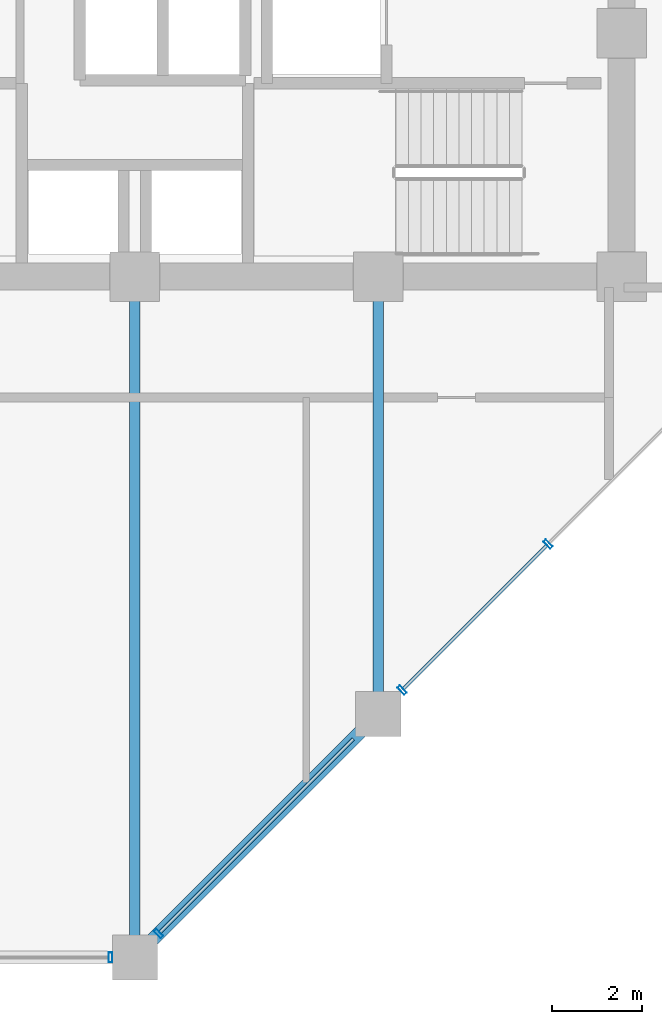
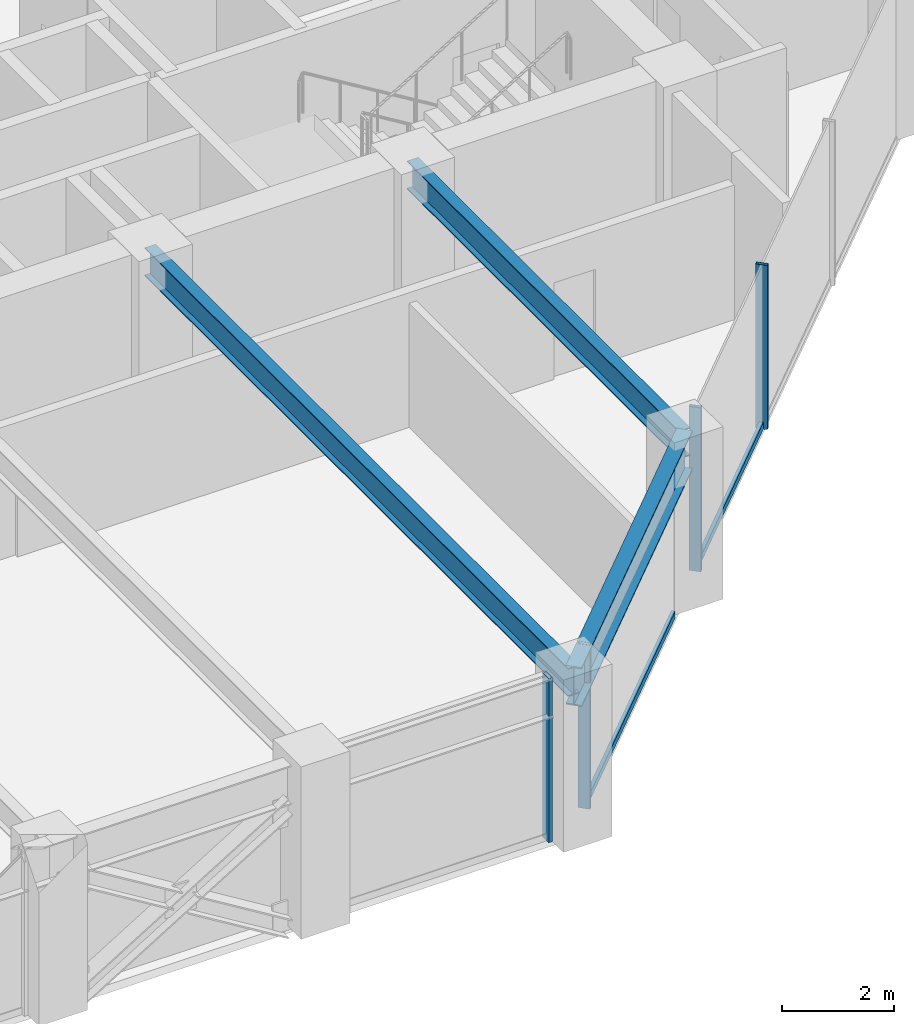
# One storey, part 7 of 26: 6 members, 3 beams, 2 elements without a shape of their own.
"""IFC4 building model written with IfcOpenShell, lengths in metres."""

from ifc_helpers import new_model, si_unit, direction, frame, origin, origin_2d, place, context, subcontext, project, spatial, hollow_rectangle, i_section, extrude, material, layer, layer_set, material_profile, profile_set, type_object, element, aggregate, save


model = new_model("IFC4")

# Units and contexts
model_context = context("Model", 3, precision=1e-05, world=origin(), true_north=direction((0.0, 1.0)))
body_context = subcontext(model_context, "Body", "Model", "MODEL_VIEW")
ifc_project = project(units=[si_unit("LENGTHUNIT", "METRE"), si_unit("AREAUNIT", "SQUARE_METRE"), si_unit("VOLUMEUNIT", "CUBIC_METRE"), si_unit("PLANEANGLEUNIT", "RADIAN"), si_unit("MASSUNIT", "GRAM", prefix="KILO")], contexts=[model_context])

# Site, building, storey
site_placement = place(None, origin())
site = spatial("IfcSite", under=ifc_project, at=site_placement, CompositionType="ELEMENT")
building_placement = place(site_placement, origin())
building = spatial("IfcBuilding", under=site, at=building_placement, Name="Surkhivell Harbour Commons", CompositionType="ELEMENT")
storey_placement = place(building_placement, frame((0.0, 0.0, 147.0)))
storey = spatial("IfcBuildingStorey", under=building, at=storey_placement, Name="L38", CompositionType="ELEMENT", Elevation=147.0)

# Beams
ifc_material_1 = material(Name="Steel S355", Category="steel")
ifc_material_profile_1 = material_profile(ifc_material_1, i_section(OverallWidth=0.22998046875, OverallDepth=0.616943359375, WebThickness=0.01318359375, FlangeThickness=0.022216796875, at=origin_2d()), Name="UB610x229x140")
ifc_profile_set_1 = profile_set([ifc_material_profile_1], Name="Steel S355")
beam_type_1 = type_object("IfcBeamType", Name="BM-GRD-610B", PredefinedType="BEAM", material=ifc_profile_set_1)
beam_1_placement = place(storey_placement, frame((0.0, -25.89990234375, 3.261474609375), z_axis=(0.0, 1.0, 0.0), x_axis=(-1.0, 0.0, 0.0)))
element("IfcBeam", 1, at=beam_1_placement, inside=storey, type_object=beam_type_1, Name="L38 Floor Girder (0.0,-25.9)", PredefinedType="BEAM", context=body_context, shape_type="SweptSolid", body=[
    extrude(i_section(OverallWidth=0.22998046875, OverallDepth=0.616943359375, WebThickness=0.01318359375, FlangeThickness=0.022216796875, at=origin_2d()), origin(), (0.0, 0.0, 1.0), 15.099853515625),
])
beam_2_placement = place(storey_placement, frame((5.39990234375, -20.5, 3.261474609375), z_axis=(0.0, 1.0, 0.0), x_axis=(-1.0, 0.0, 0.0)))
element("IfcBeam", 2, at=beam_2_placement, inside=storey, type_object=beam_type_1, Name="L38 Floor Girder (5.4,-20.5)", PredefinedType="BEAM", context=body_context, shape_type="SweptSolid", body=[
    extrude(i_section(OverallWidth=0.22998046875, OverallDepth=0.616943359375, WebThickness=0.01318359375, FlangeThickness=0.022216796875, at=origin_2d()), origin(), (0.0, 0.0, 1.0), 9.699951171875),
])
ifc_material_2 = material(Name="Steel S460", Category="steel")
ifc_material_profile_2 = material_profile(ifc_material_2, i_section(OverallWidth=0.2939453125, OverallDepth=0.85107421875, WebThickness=0.01611328125, FlangeThickness=0.02685546875, at=origin_2d()), Name="UB838x292x226")
ifc_profile_set_2 = profile_set([ifc_material_profile_2], Name="Steel S460")
beam_type_2 = type_object("IfcBeamType", Name="BM-SPN-838", PredefinedType="SPANDREL", material=ifc_profile_set_2)
beam_3_placement = place(storey_placement, frame((0.0, -25.89990234375, 3.14453125), z_axis=(0.707106781187, 0.707106781187, 0.0), x_axis=(-0.707106781187, 0.707106781187, 0.0)))
element("IfcBeam", 3, at=beam_3_placement, inside=storey, type_object=beam_type_2, Name="L38 Tube Spandrel (-0.0,-25.9)", PredefinedType="SPANDREL", context=body_context, shape_type="SweptSolid", body=[
    extrude(i_section(OverallWidth=0.2939453125, OverallDepth=0.85107421875, WebThickness=0.01611328125, FlangeThickness=0.02685546875, at=origin_2d()), origin(), (0.0, 0.0, 1.0), 7.63671875),
])

# Curtain wall, member
ifc_material_3 = material(Name="Anodised pale-metal aluminium and insulated glazing", Category="aluminium")
ifc_layer = layer(ifc_material_3, 0.205078125)
ifc_layer_set = layer_set([ifc_layer], Name="Anodised pale-metal aluminium and insulated glazing")
curtain_wall_type = type_object("IfcCurtainWallType", Name="CW-SYS-Z2", PredefinedType="NOTDEFINED", material=ifc_layer_set)
curtain_wall_1_placement = place(storey_placement, origin())
curtain_wall_1 = element("IfcCurtainWall", 4, at=curtain_wall_1_placement, inside=storey, type_object=curtain_wall_type, Name="L38 Curtain Wall CW-L38-E00S2", PredefinedType="NOTDEFINED")
ifc_material_4 = material(Name="Anodised pale-metal aluminium alloy 6063-T6", Category="aluminium")
ifc_material_profile_3 = material_profile(ifc_material_4, hollow_rectangle(XDim=0.074951171875, YDim=0.219970703125, WallThickness=0.00390625, at=origin_2d()), Name="ALU-MULL-75x220")
ifc_profile_set_3 = profile_set([ifc_material_profile_3], Name="Anodised pale-metal aluminium alloy 6063-T6")
member_type_1 = type_object("IfcMemberType", Name="CWM-220", PredefinedType="MULLION", material=ifc_profile_set_3)
member_1_placement = place(storey_placement, frame((-0.53955078125, -25.89990234375, 0.0), z_axis=(0.0, 0.0, 1.0), x_axis=(1.0, 0.0, 0.0)))
member_1 = element("IfcMember", 5, at=member_1_placement, type_object=member_type_1, Name="CW-Z2 mullion 2", PredefinedType="MULLION", context=body_context, shape_type="SweptSolid", body=[
    extrude(hollow_rectangle(XDim=0.074951171875, YDim=0.219970703125, WallThickness=0.00390625, at=origin_2d()), origin(), (0.0, 0.0, 1.0), 3.570068359375),
])
aggregate(curtain_wall_1, [member_1])

# Curtain wall, members
curtain_wall_2_placement = place(storey_placement, origin())
curtain_wall_2 = element("IfcCurtainWall", 6, at=curtain_wall_2_placement, inside=storey, type_object=curtain_wall_type, Name="L38 Curtain Wall CW-L38-E01", PredefinedType="NOTDEFINED")
member_2_placement = place(storey_placement, frame((0.5283203125, -25.371826171875, 0.0), z_axis=(0.0, 0.0, 1.0), x_axis=(0.707106781187, 0.707106781187, 0.0)))
member_2 = element("IfcMember", 7, at=member_2_placement, type_object=member_type_1, Name="CW-Z2 mullion 1", PredefinedType="MULLION", context=body_context, shape_type="SweptSolid", body=[
    extrude(hollow_rectangle(XDim=0.074951171875, YDim=0.219970703125, WallThickness=0.00390625, at=origin_2d()), origin(), (0.0, 0.0, 1.0), 3.570068359375),
])
member_3_placement = place(storey_placement, frame((5.92822265625, -19.9716796875, 0.0), z_axis=(0.0, 0.0, 1.0), x_axis=(0.707106781187, 0.707106781187, 0.0)))
member_3 = element("IfcMember", 8, at=member_3_placement, type_object=member_type_1, Name="CW-Z2 mullion 2", PredefinedType="MULLION", context=body_context, shape_type="SweptSolid", body=[
    extrude(hollow_rectangle(XDim=0.074951171875, YDim=0.219970703125, WallThickness=0.00390625, at=origin_2d()), origin(), (0.0, 0.0, 1.0), 3.570068359375),
])
member_4_placement = place(storey_placement, frame((9.167236328125, -16.732666015625, 0.0), z_axis=(0.0, 0.0, 1.0), x_axis=(0.707106781187, 0.707106781187, 0.0)))
member_4 = element("IfcMember", 9, at=member_4_placement, type_object=member_type_1, Name="CW-Z2 mullion 3", PredefinedType="MULLION", context=body_context, shape_type="SweptSolid", body=[
    extrude(hollow_rectangle(XDim=0.074951171875, YDim=0.219970703125, WallThickness=0.00390625, at=origin_2d()), origin(), (0.0, 0.0, 1.0), 3.570068359375),
])
ifc_material_profile_4 = material_profile(ifc_material_4, hollow_rectangle(XDim=0.074951171875, YDim=0.14990234375, WallThickness=0.00341796875, at=origin_2d()), Name="ALU-TRAN-75x150")
ifc_profile_set_4 = profile_set([ifc_material_profile_4], Name="Anodised pale-metal aluminium alloy 6063-T6")
member_type_2 = type_object("IfcMemberType", Name="CWT-150", PredefinedType="USERDEFINED", material=ifc_profile_set_4)
member_5_placement = place(storey_placement, frame((0.5546875, -25.34521484375, 0.074951171875), z_axis=(0.707106781187, 0.707106781187, 0.0), x_axis=(-0.707106781187, 0.707106781187, 0.0)))
member_5 = element("IfcMember", 10, at=member_5_placement, type_object=member_type_2, Name="CW-Z2 transom 1.1", ObjectType="TRANSOM", PredefinedType="USERDEFINED", context=body_context, shape_type="SweptSolid", body=[
    extrude(hollow_rectangle(XDim=0.074951171875, YDim=0.14990234375, WallThickness=0.00341796875, at=origin_2d()), origin(), (0.0, 0.0, 1.0), 6.067626953125),
])
member_6_placement = place(storey_placement, frame((5.954833984375, -19.9453125, 0.074951171875), z_axis=(0.707079687416, 0.707133873919, 0.0), x_axis=(-0.707133873919, 0.707079687416, 0.0)))
member_6 = element("IfcMember", 11, at=member_6_placement, type_object=member_type_2, Name="CW-Z2 transom 2.1", ObjectType="TRANSOM", PredefinedType="USERDEFINED", context=body_context, shape_type="SweptSolid", body=[
    extrude(hollow_rectangle(XDim=0.074951171875, YDim=0.14990234375, WallThickness=0.00341796875, at=origin_2d()), origin(), (0.0, 0.0, 1.0), 4.505615234375),
])
aggregate(curtain_wall_2, [member_2, member_5, member_3, member_4, member_6])

save(model, "model.ifc")
